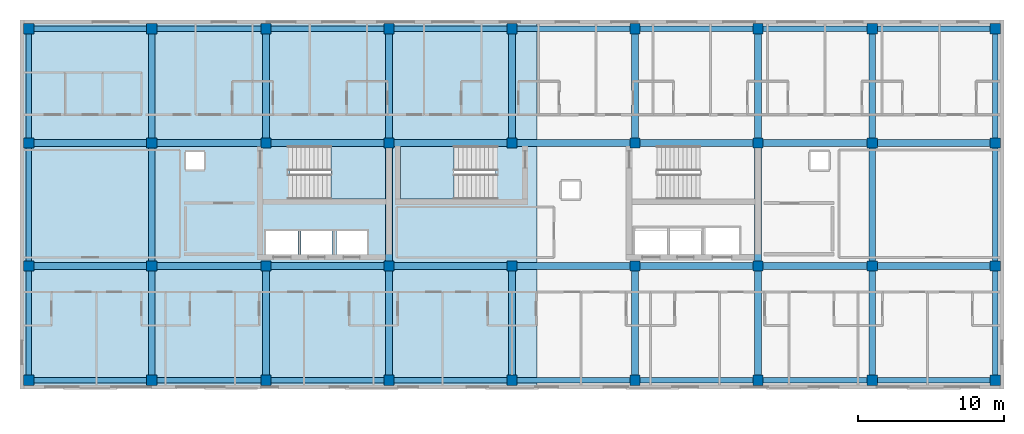
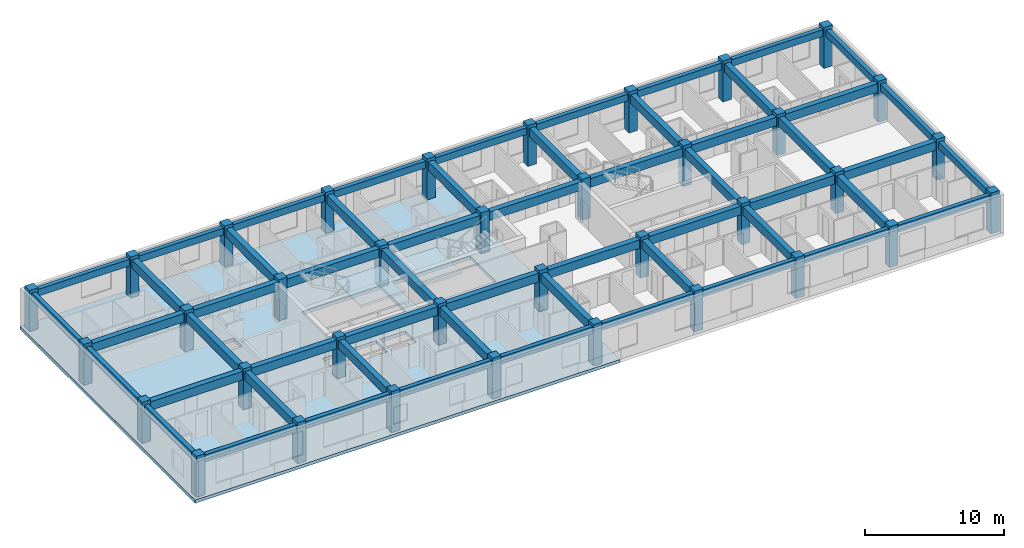
# One storey, part 1 of 11: 56 beams, 36 columns, 3 slabs, 2 elements without a shape of their own.
"""IFC4 building model written with IfcOpenShell, lengths in metres."""

from ifc_helpers import new_model, si_unit, direction, frame, origin, origin_2d, place, context, subcontext, project, spatial, polyline, rectangle, outline, extrude, material, layer, layer_set, material_profile, profile_set, type_object, element, aggregate, save


model = new_model("IFC4")

# Units and contexts
model_context = context("Model", 3, precision=1e-05, world=origin(), true_north=direction((0.0, 1.0)))
body_context = subcontext(model_context, "Body", "Model", "MODEL_VIEW")
ifc_project = project(units=[si_unit("LENGTHUNIT", "METRE"), si_unit("AREAUNIT", "SQUARE_METRE"), si_unit("VOLUMEUNIT", "CUBIC_METRE"), si_unit("PLANEANGLEUNIT", "RADIAN"), si_unit("MASSUNIT", "GRAM", prefix="KILO")], contexts=[model_context])

# Site, building, storey
site_placement = place(None, origin())
site = spatial("IfcSite", under=ifc_project, at=site_placement, CompositionType="ELEMENT")
building_placement = place(site_placement, origin())
building = spatial("IfcBuilding", under=site, at=building_placement, Name="Zayran Congress Hotel", CompositionType="ELEMENT")
storey_placement = place(building_placement, frame((0.0, 0.0, 26.39990234375)))
storey = spatial("IfcBuildingStorey", under=building, at=storey_placement, Name="L06", CompositionType="ELEMENT", Elevation=26.39990234375)

# Columns
ifc_material_1 = material(Name="Concrete C40/50", Category="concrete")
ifc_material_profile_1 = material_profile(ifc_material_1, rectangle(XDim=0.699951171875, YDim=0.699951171875, at=origin_2d()), Name="RC 700x700")
ifc_profile_set_1 = profile_set([ifc_material_profile_1], Name="Concrete C40/50")
column_type = type_object("IfcColumnType", Name="TP-CL-03", PredefinedType="COLUMN", material=ifc_profile_set_1)
for number, where, z_axis, x_axis, name in (
    (1, (9.0, 9.39990234375, 0.0), (0.0, 0.0, 1.0), (1.0, 0.0, 0.0), "COL-V5-L06-1188"),
    (2, (9.0, 17.199951171875, 0.0), (0.0, 0.0, 1.0), (1.0, 0.0, 0.0), "COL-V5-L06-1189"),
    (3, (9.0, 25.60009765625, 0.0), (0.0, 0.0, 1.0), (1.0, 0.0, 0.0), "COL-V5-L06-1190"),
    (4, (9.0, 33.39990234375, 0.0), (0.0, 0.0, 1.0), (1.0, 0.0, 0.0), "COL-V5-L06-1191"),
    (5, (17.39990234375, 9.39990234375, 0.0), (0.0, 0.0, 1.0), (1.0, 0.0, 0.0), "COL-V5-L06-1192"),
    (6, (17.39990234375, 17.199951171875, 0.0), (0.0, 0.0, 1.0), (1.0, 0.0, 0.0), "COL-V5-L06-1193"),
    (7, (17.39990234375, 25.60009765625, 0.0), (0.0, 0.0, 1.0), (1.0, 0.0, 0.0), "COL-V5-L06-1194"),
    (8, (17.39990234375, 33.39990234375, 0.0), (0.0, 0.0, 1.0), (1.0, 0.0, 0.0), "COL-V5-L06-1195"),
    (9, (25.199951171875, 9.39990234375, 0.0), (0.0, 0.0, 1.0), (1.0, 0.0, 0.0), "COL-V5-L06-1196"),
    (10, (25.199951171875, 17.199951171875, 0.0), (0.0, 0.0, 1.0), (1.0, 0.0, 0.0), "COL-V5-L06-1197"),
    (11, (25.199951171875, 25.60009765625, 0.0), (0.0, 0.0, 1.0), (1.0, 0.0, 0.0), "COL-V5-L06-1198"),
    (12, (25.199951171875, 33.39990234375, 0.0), (0.0, 0.0, 1.0), (1.0, 0.0, 0.0), "COL-V5-L06-1199"),
    (13, (33.60009765625, 9.39990234375, 0.0), (0.0, 0.0, 1.0), (1.0, 0.0, 0.0), "COL-V5-L06-1200"),
    (14, (33.60009765625, 17.199951171875, 0.0), (0.0, 0.0, 1.0), (1.0, 0.0, 0.0), "COL-V5-L06-1201"),
    (15, (33.60009765625, 25.60009765625, 0.0), (0.0, 0.0, 1.0), (1.0, 0.0, 0.0), "COL-V5-L06-1202"),
    (16, (33.60009765625, 33.39990234375, 0.0), (0.0, 0.0, 1.0), (1.0, 0.0, 0.0), "COL-V5-L06-1203"),
    (17, (42.0, 9.39990234375, 0.0), (0.0, 0.0, 1.0), (1.0, 0.0, 0.0), "COL-V5-L06-1204"),
    (18, (42.0, 17.199951171875, 0.0), (0.0, 0.0, 1.0), (1.0, 0.0, 0.0), "COL-V5-L06-1205"),
    (19, (42.0, 25.60009765625, 0.0), (0.0, 0.0, 1.0), (1.0, 0.0, 0.0), "COL-V5-L06-1206"),
    (20, (42.0, 33.39990234375, 0.0), (0.0, 0.0, 1.0), (1.0, 0.0, 0.0), "COL-V5-L06-1207"),
    (21, (50.39990234375, 9.39990234375, 0.0), (0.0, 0.0, 1.0), (1.0, 0.0, 0.0), "COL-V5-L06-1208"),
    (22, (50.39990234375, 17.199951171875, 0.0), (0.0, 0.0, 1.0), (1.0, 0.0, 0.0), "COL-V5-L06-1209"),
    (23, (50.39990234375, 25.60009765625, 0.0), (0.0, 0.0, 1.0), (1.0, 0.0, 0.0), "COL-V5-L06-1210"),
    (24, (50.39990234375, 33.39990234375, 0.0), (0.0, 0.0, 1.0), (1.0, 0.0, 0.0), "COL-V5-L06-1211"),
    (25, (58.800048828125, 9.39990234375, 0.0), (0.0, 0.0, 1.0), (1.0, 0.0, 0.0), "COL-V5-L06-1212"),
    (26, (58.800048828125, 17.199951171875, 0.0), (0.0, 0.0, 1.0), (1.0, 0.0, 0.0), "COL-V5-L06-1213"),
    (27, (58.800048828125, 25.60009765625, 0.0), (0.0, 0.0, 1.0), (1.0, 0.0, 0.0), "COL-V5-L06-1214"),
    (28, (58.800048828125, 33.39990234375, 0.0), (0.0, 0.0, 1.0), (1.0, 0.0, 0.0), "COL-V5-L06-1215"),
    (29, (66.60009765625, 9.39990234375, 0.0), (0.0, 0.0, 1.0), (1.0, 0.0, 0.0), "COL-V5-L06-1216"),
    (30, (66.60009765625, 17.199951171875, 0.0), (0.0, 0.0, 1.0), (1.0, 0.0, 0.0), "COL-V5-L06-1217"),
    (31, (66.60009765625, 25.60009765625, 0.0), (0.0, 0.0, 1.0), (1.0, 0.0, 0.0), "COL-V5-L06-1218"),
    (32, (66.60009765625, 33.39990234375, 0.0), (0.0, 0.0, 1.0), (1.0, 0.0, 0.0), "COL-V5-L06-1219"),
    (33, (75.0, 9.39990234375, 0.0), (0.0, 0.0, 1.0), (1.0, 0.0, 0.0), "COL-V5-L06-1220"),
    (34, (75.0, 17.199951171875, 0.0), (0.0, 0.0, 1.0), (1.0, 0.0, 0.0), "COL-V5-L06-1221"),
    (35, (75.0, 25.60009765625, 0.0), (0.0, 0.0, 1.0), (1.0, 0.0, 0.0), "COL-V5-L06-1222"),
    (36, (75.0, 33.39990234375, 0.0), (0.0, 0.0, 1.0), (1.0, 0.0, 0.0), "COL-V5-L06-1223"),
):
    element("IfcColumn", number, at=place(storey_placement, frame(where, z_axis=z_axis, x_axis=x_axis)), inside=storey, type_object=column_type, Name=name, PredefinedType="COLUMN", context=body_context, shape_type="SweptSolid", body=[
        extrude(rectangle(XDim=0.699951171875, YDim=0.699951171875, at=origin_2d()), origin(), (0.0, 0.0, 1.0), 3.60009765625),
    ])

# Beams
ifc_material_profile_2 = material_profile(ifc_material_1, rectangle(XDim=0.449951171875, YDim=0.75, at=origin_2d()), Name="RC 450x750")
ifc_profile_set_2 = profile_set([ifc_material_profile_2], Name="Concrete C40/50")
beam_type_1 = type_object("IfcBeamType", Name="TP-BM-02", PredefinedType="BEAM", material=ifc_profile_set_2)
beam_1_placement = place(storey_placement, frame((9.0, 17.199951171875, 2.945068359375), z_axis=(1.0, 0.0, 0.0), x_axis=(0.0, 1.0, 0.0)))
element("IfcBeam", 37, at=beam_1_placement, inside=storey, type_object=beam_type_1, Name="BM-V5-L06-2109", PredefinedType="BEAM", context=body_context, shape_type="SweptSolid", body=[
    extrude(rectangle(XDim=0.449951171875, YDim=0.75, at=origin_2d()), origin(), (0.0, 0.0, 1.0), 8.39990234375),
])
beam_2_placement = place(storey_placement, frame((17.39990234375, 17.199951171875, 2.945068359375), z_axis=(1.0, 0.0, 0.0), x_axis=(0.0, 1.0, 0.0)))
element("IfcBeam", 38, at=beam_2_placement, inside=storey, type_object=beam_type_1, Name="BM-V5-L06-2110", PredefinedType="BEAM", context=body_context, shape_type="SweptSolid", body=[
    extrude(rectangle(XDim=0.449951171875, YDim=0.75, at=origin_2d()), origin(), (0.0, 0.0, 1.0), 7.800048828125),
])
beam_3_placement = place(storey_placement, frame((25.199951171875, 17.199951171875, 2.945068359375), z_axis=(1.0, 0.0, 0.0), x_axis=(0.0, 1.0, 0.0)))
element("IfcBeam", 39, at=beam_3_placement, inside=storey, type_object=beam_type_1, Name="BM-V5-L06-2111", PredefinedType="BEAM", context=body_context, shape_type="SweptSolid", body=[
    extrude(rectangle(XDim=0.449951171875, YDim=0.75, at=origin_2d()), origin(), (0.0, 0.0, 1.0), 8.400146484375),
])
for number, where, z_axis, x_axis, name in (
    (40, (33.60009765625, 17.199951171875, 2.945068359375), (1.0, 0.0, 0.0), (0.0, 1.0, 0.0), "BM-V5-L06-2112"),
    (41, (42.0, 17.199951171875, 2.945068359375), (1.0, 0.0, 0.0), (0.0, 1.0, 0.0), "BM-V5-L06-2113"),
):
    element("IfcBeam", number, at=place(storey_placement, frame(where, z_axis=z_axis, x_axis=x_axis)), inside=storey, type_object=beam_type_1, Name=name, PredefinedType="BEAM", context=body_context, shape_type="SweptSolid", body=[
        extrude(rectangle(XDim=0.449951171875, YDim=0.75, at=origin_2d()), origin(), (0.0, 0.0, 1.0), 8.39990234375),
    ])
beam_4_placement = place(storey_placement, frame((50.39990234375, 17.199951171875, 2.945068359375), z_axis=(1.0, 0.0, 0.0), x_axis=(0.0, 1.0, 0.0)))
element("IfcBeam", 42, at=beam_4_placement, inside=storey, type_object=beam_type_1, Name="BM-V5-L06-2114", PredefinedType="BEAM", context=body_context, shape_type="SweptSolid", body=[
    extrude(rectangle(XDim=0.449951171875, YDim=0.75, at=origin_2d()), origin(), (0.0, 0.0, 1.0), 8.400146484375),
])
beam_5_placement = place(storey_placement, frame((58.800048828125, 17.199951171875, 2.945068359375), z_axis=(1.0, 0.0, 0.0), x_axis=(0.0, 1.0, 0.0)))
element("IfcBeam", 43, at=beam_5_placement, inside=storey, type_object=beam_type_1, Name="BM-V5-L06-2115", PredefinedType="BEAM", context=body_context, shape_type="SweptSolid", body=[
    extrude(rectangle(XDim=0.449951171875, YDim=0.75, at=origin_2d()), origin(), (0.0, 0.0, 1.0), 7.800048828125),
])
for number, where, z_axis, x_axis, name in (
    (44, (66.60009765625, 17.199951171875, 2.945068359375), (1.0, 0.0, 0.0), (0.0, 1.0, 0.0), "BM-V5-L06-2116"),
    (45, (9.0, 25.60009765625, 2.945068359375), (1.0, 0.0, 0.0), (0.0, 1.0, 0.0), "BM-V5-L06-2117"),
):
    element("IfcBeam", number, at=place(storey_placement, frame(where, z_axis=z_axis, x_axis=x_axis)), inside=storey, type_object=beam_type_1, Name=name, PredefinedType="BEAM", context=body_context, shape_type="SweptSolid", body=[
        extrude(rectangle(XDim=0.449951171875, YDim=0.75, at=origin_2d()), origin(), (0.0, 0.0, 1.0), 8.39990234375),
    ])
beam_6_placement = place(storey_placement, frame((17.39990234375, 25.60009765625, 2.945068359375), z_axis=(1.0, 0.0, 0.0), x_axis=(0.0, 1.0, 0.0)))
element("IfcBeam", 46, at=beam_6_placement, inside=storey, type_object=beam_type_1, Name="BM-V5-L06-2118", PredefinedType="BEAM", context=body_context, shape_type="SweptSolid", body=[
    extrude(rectangle(XDim=0.449951171875, YDim=0.75, at=origin_2d()), origin(), (0.0, 0.0, 1.0), 7.800048828125),
])
beam_7_placement = place(storey_placement, frame((25.199951171875, 25.60009765625, 2.945068359375), z_axis=(1.0, 0.0, 0.0), x_axis=(0.0, 1.0, 0.0)))
element("IfcBeam", 47, at=beam_7_placement, inside=storey, type_object=beam_type_1, Name="BM-V5-L06-2119", PredefinedType="BEAM", context=body_context, shape_type="SweptSolid", body=[
    extrude(rectangle(XDim=0.449951171875, YDim=0.75, at=origin_2d()), origin(), (0.0, 0.0, 1.0), 8.400146484375),
])
for number, where, z_axis, x_axis, name in (
    (48, (33.60009765625, 25.60009765625, 2.945068359375), (1.0, 0.0, 0.0), (0.0, 1.0, 0.0), "BM-V5-L06-2120"),
    (49, (42.0, 25.60009765625, 2.945068359375), (1.0, 0.0, 0.0), (0.0, 1.0, 0.0), "BM-V5-L06-2121"),
):
    element("IfcBeam", number, at=place(storey_placement, frame(where, z_axis=z_axis, x_axis=x_axis)), inside=storey, type_object=beam_type_1, Name=name, PredefinedType="BEAM", context=body_context, shape_type="SweptSolid", body=[
        extrude(rectangle(XDim=0.449951171875, YDim=0.75, at=origin_2d()), origin(), (0.0, 0.0, 1.0), 8.39990234375),
    ])
beam_8_placement = place(storey_placement, frame((50.39990234375, 25.60009765625, 2.945068359375), z_axis=(1.0, 0.0, 0.0), x_axis=(0.0, 1.0, 0.0)))
element("IfcBeam", 50, at=beam_8_placement, inside=storey, type_object=beam_type_1, Name="BM-V5-L06-2122", PredefinedType="BEAM", context=body_context, shape_type="SweptSolid", body=[
    extrude(rectangle(XDim=0.449951171875, YDim=0.75, at=origin_2d()), origin(), (0.0, 0.0, 1.0), 8.400146484375),
])
beam_9_placement = place(storey_placement, frame((58.800048828125, 25.60009765625, 2.945068359375), z_axis=(1.0, 0.0, 0.0), x_axis=(0.0, 1.0, 0.0)))
element("IfcBeam", 51, at=beam_9_placement, inside=storey, type_object=beam_type_1, Name="BM-V5-L06-2123", PredefinedType="BEAM", context=body_context, shape_type="SweptSolid", body=[
    extrude(rectangle(XDim=0.449951171875, YDim=0.75, at=origin_2d()), origin(), (0.0, 0.0, 1.0), 7.800048828125),
])
beam_10_placement = place(storey_placement, frame((66.60009765625, 25.60009765625, 2.945068359375), z_axis=(1.0, 0.0, 0.0), x_axis=(0.0, 1.0, 0.0)))
element("IfcBeam", 52, at=beam_10_placement, inside=storey, type_object=beam_type_1, Name="BM-V5-L06-2124", PredefinedType="BEAM", context=body_context, shape_type="SweptSolid", body=[
    extrude(rectangle(XDim=0.449951171875, YDim=0.75, at=origin_2d()), origin(), (0.0, 0.0, 1.0), 8.39990234375),
])
beam_11_placement = place(storey_placement, frame((17.39990234375, 9.39990234375, 2.945068359375), z_axis=(0.0, 1.0, 0.0), x_axis=(-1.0, 0.0, 0.0)))
element("IfcBeam", 53, at=beam_11_placement, inside=storey, type_object=beam_type_1, Name="BM-V5-L06-2136", PredefinedType="BEAM", context=body_context, shape_type="SweptSolid", body=[
    extrude(rectangle(XDim=0.449951171875, YDim=0.75, at=origin_2d()), origin(), (0.0, 0.0, 1.0), 7.800048828125),
])
beam_12_placement = place(storey_placement, frame((17.39990234375, 17.199951171875, 2.945068359375), z_axis=(0.0, 1.0, 0.0), x_axis=(-1.0, 0.0, 0.0)))
element("IfcBeam", 54, at=beam_12_placement, inside=storey, type_object=beam_type_1, Name="BM-V5-L06-2137", PredefinedType="BEAM", context=body_context, shape_type="SweptSolid", body=[
    extrude(rectangle(XDim=0.449951171875, YDim=0.75, at=origin_2d()), origin(), (0.0, 0.0, 1.0), 8.400146484375),
])
beam_13_placement = place(storey_placement, frame((17.39990234375, 25.60009765625, 2.945068359375), z_axis=(0.0, 1.0, 0.0), x_axis=(-1.0, 0.0, 0.0)))
element("IfcBeam", 55, at=beam_13_placement, inside=storey, type_object=beam_type_1, Name="BM-V5-L06-2138", PredefinedType="BEAM", context=body_context, shape_type="SweptSolid", body=[
    extrude(rectangle(XDim=0.449951171875, YDim=0.75, at=origin_2d()), origin(), (0.0, 0.0, 1.0), 7.7998046875),
])
beam_14_placement = place(storey_placement, frame((25.199951171875, 9.39990234375, 2.945068359375), z_axis=(0.0, 1.0, 0.0), x_axis=(-1.0, 0.0, 0.0)))
element("IfcBeam", 56, at=beam_14_placement, inside=storey, type_object=beam_type_1, Name="BM-V5-L06-2139", PredefinedType="BEAM", context=body_context, shape_type="SweptSolid", body=[
    extrude(rectangle(XDim=0.449951171875, YDim=0.75, at=origin_2d()), origin(), (0.0, 0.0, 1.0), 7.800048828125),
])
beam_15_placement = place(storey_placement, frame((25.199951171875, 25.60009765625, 2.945068359375), z_axis=(0.0, 1.0, 0.0), x_axis=(-1.0, 0.0, 0.0)))
element("IfcBeam", 57, at=beam_15_placement, inside=storey, type_object=beam_type_1, Name="BM-V5-L06-2140", PredefinedType="BEAM", context=body_context, shape_type="SweptSolid", body=[
    extrude(rectangle(XDim=0.449951171875, YDim=0.75, at=origin_2d()), origin(), (0.0, 0.0, 1.0), 7.7998046875),
])
beam_16_placement = place(storey_placement, frame((33.60009765625, 9.39990234375, 2.945068359375), z_axis=(0.0, 1.0, 0.0), x_axis=(-1.0, 0.0, 0.0)))
element("IfcBeam", 58, at=beam_16_placement, inside=storey, type_object=beam_type_1, Name="BM-V5-L06-2141", PredefinedType="BEAM", context=body_context, shape_type="SweptSolid", body=[
    extrude(rectangle(XDim=0.449951171875, YDim=0.75, at=origin_2d()), origin(), (0.0, 0.0, 1.0), 7.800048828125),
])
beam_17_placement = place(storey_placement, frame((33.60009765625, 17.199951171875, 2.945068359375), z_axis=(0.0, 1.0, 0.0), x_axis=(-1.0, 0.0, 0.0)))
element("IfcBeam", 59, at=beam_17_placement, inside=storey, type_object=beam_type_1, Name="BM-V5-L06-2142", PredefinedType="BEAM", context=body_context, shape_type="SweptSolid", body=[
    extrude(rectangle(XDim=0.449951171875, YDim=0.75, at=origin_2d()), origin(), (0.0, 0.0, 1.0), 8.400146484375),
])
beam_18_placement = place(storey_placement, frame((33.60009765625, 25.60009765625, 2.945068359375), z_axis=(0.0, 1.0, 0.0), x_axis=(-1.0, 0.0, 0.0)))
element("IfcBeam", 60, at=beam_18_placement, inside=storey, type_object=beam_type_1, Name="BM-V5-L06-2143", PredefinedType="BEAM", context=body_context, shape_type="SweptSolid", body=[
    extrude(rectangle(XDim=0.449951171875, YDim=0.75, at=origin_2d()), origin(), (0.0, 0.0, 1.0), 7.7998046875),
])
beam_19_placement = place(storey_placement, frame((42.0, 9.39990234375, 2.945068359375), z_axis=(0.0, 1.0, 0.0), x_axis=(-1.0, 0.0, 0.0)))
element("IfcBeam", 61, at=beam_19_placement, inside=storey, type_object=beam_type_1, Name="BM-V5-L06-2144", PredefinedType="BEAM", context=body_context, shape_type="SweptSolid", body=[
    extrude(rectangle(XDim=0.449951171875, YDim=0.75, at=origin_2d()), origin(), (0.0, 0.0, 1.0), 7.800048828125),
])
beam_20_placement = place(storey_placement, frame((42.0, 25.60009765625, 2.945068359375), z_axis=(0.0, 1.0, 0.0), x_axis=(-1.0, 0.0, 0.0)))
element("IfcBeam", 62, at=beam_20_placement, inside=storey, type_object=beam_type_1, Name="BM-V5-L06-2146", PredefinedType="BEAM", context=body_context, shape_type="SweptSolid", body=[
    extrude(rectangle(XDim=0.449951171875, YDim=0.75, at=origin_2d()), origin(), (0.0, 0.0, 1.0), 7.7998046875),
])
beam_21_placement = place(storey_placement, frame((50.39990234375, 9.39990234375, 2.945068359375), z_axis=(0.0, 1.0, 0.0), x_axis=(-1.0, 0.0, 0.0)))
element("IfcBeam", 63, at=beam_21_placement, inside=storey, type_object=beam_type_1, Name="BM-V5-L06-2147", PredefinedType="BEAM", context=body_context, shape_type="SweptSolid", body=[
    extrude(rectangle(XDim=0.449951171875, YDim=0.75, at=origin_2d()), origin(), (0.0, 0.0, 1.0), 7.800048828125),
])
beam_22_placement = place(storey_placement, frame((50.39990234375, 25.60009765625, 2.945068359375), z_axis=(0.0, 1.0, 0.0), x_axis=(-1.0, 0.0, 0.0)))
element("IfcBeam", 64, at=beam_22_placement, inside=storey, type_object=beam_type_1, Name="BM-V5-L06-2148", PredefinedType="BEAM", context=body_context, shape_type="SweptSolid", body=[
    extrude(rectangle(XDim=0.449951171875, YDim=0.75, at=origin_2d()), origin(), (0.0, 0.0, 1.0), 7.7998046875),
])
beam_23_placement = place(storey_placement, frame((58.800048828125, 9.39990234375, 2.945068359375), z_axis=(0.0, 1.0, 0.0), x_axis=(-1.0, 0.0, 0.0)))
element("IfcBeam", 65, at=beam_23_placement, inside=storey, type_object=beam_type_1, Name="BM-V5-L06-2149", PredefinedType="BEAM", context=body_context, shape_type="SweptSolid", body=[
    extrude(rectangle(XDim=0.449951171875, YDim=0.75, at=origin_2d()), origin(), (0.0, 0.0, 1.0), 7.800048828125),
])
beam_24_placement = place(storey_placement, frame((58.800048828125, 17.199951171875, 2.945068359375), z_axis=(0.0, 1.0, 0.0), x_axis=(-1.0, 0.0, 0.0)))
element("IfcBeam", 66, at=beam_24_placement, inside=storey, type_object=beam_type_1, Name="BM-V5-L06-2150", PredefinedType="BEAM", context=body_context, shape_type="SweptSolid", body=[
    extrude(rectangle(XDim=0.449951171875, YDim=0.75, at=origin_2d()), origin(), (0.0, 0.0, 1.0), 8.400146484375),
])
beam_25_placement = place(storey_placement, frame((58.800048828125, 25.60009765625, 2.945068359375), z_axis=(0.0, 1.0, 0.0), x_axis=(-1.0, 0.0, 0.0)))
element("IfcBeam", 67, at=beam_25_placement, inside=storey, type_object=beam_type_1, Name="BM-V5-L06-2151", PredefinedType="BEAM", context=body_context, shape_type="SweptSolid", body=[
    extrude(rectangle(XDim=0.449951171875, YDim=0.75, at=origin_2d()), origin(), (0.0, 0.0, 1.0), 7.7998046875),
])
beam_26_placement = place(storey_placement, frame((66.60009765625, 9.39990234375, 2.945068359375), z_axis=(0.0, 1.0, 0.0), x_axis=(-1.0, 0.0, 0.0)))
element("IfcBeam", 68, at=beam_26_placement, inside=storey, type_object=beam_type_1, Name="BM-V5-L06-2152", PredefinedType="BEAM", context=body_context, shape_type="SweptSolid", body=[
    extrude(rectangle(XDim=0.449951171875, YDim=0.75, at=origin_2d()), origin(), (0.0, 0.0, 1.0), 7.800048828125),
])
beam_27_placement = place(storey_placement, frame((66.60009765625, 17.199951171875, 2.945068359375), z_axis=(0.0, 1.0, 0.0), x_axis=(-1.0, 0.0, 0.0)))
element("IfcBeam", 69, at=beam_27_placement, inside=storey, type_object=beam_type_1, Name="BM-V5-L06-2153", PredefinedType="BEAM", context=body_context, shape_type="SweptSolid", body=[
    extrude(rectangle(XDim=0.449951171875, YDim=0.75, at=origin_2d()), origin(), (0.0, 0.0, 1.0), 8.400146484375),
])
beam_28_placement = place(storey_placement, frame((66.60009765625, 25.60009765625, 2.945068359375), z_axis=(0.0, 1.0, 0.0), x_axis=(-1.0, 0.0, 0.0)))
element("IfcBeam", 70, at=beam_28_placement, inside=storey, type_object=beam_type_1, Name="BM-V5-L06-2154", PredefinedType="BEAM", context=body_context, shape_type="SweptSolid", body=[
    extrude(rectangle(XDim=0.449951171875, YDim=0.75, at=origin_2d()), origin(), (0.0, 0.0, 1.0), 7.7998046875),
])
ifc_material_profile_3 = material_profile(ifc_material_1, rectangle(XDim=0.35009765625, YDim=0.60009765625, at=origin_2d()), Name="RC 350x600")
ifc_profile_set_3 = profile_set([ifc_material_profile_3], Name="Concrete C40/50")
beam_type_2 = type_object("IfcBeamType", Name="TP-SP-01", PredefinedType="SPANDREL", material=ifc_profile_set_3)
beam_29_placement = place(storey_placement, frame((9.0, 9.39990234375, 3.02001953125), z_axis=(1.0, 0.0, 0.0), x_axis=(0.0, 1.0, 0.0)))
element("IfcBeam", 71, at=beam_29_placement, inside=storey, type_object=beam_type_2, Name="BM-V5-L06-2101", PredefinedType="SPANDREL", context=body_context, shape_type="SweptSolid", body=[
    extrude(rectangle(XDim=0.35009765625, YDim=0.60009765625, at=origin_2d()), origin(), (0.0, 0.0, 1.0), 8.39990234375),
])
beam_30_placement = place(storey_placement, frame((17.39990234375, 9.39990234375, 3.02001953125), z_axis=(1.0, 0.0, 0.0), x_axis=(0.0, 1.0, 0.0)))
element("IfcBeam", 72, at=beam_30_placement, inside=storey, type_object=beam_type_2, Name="BM-V5-L06-2102", PredefinedType="SPANDREL", context=body_context, shape_type="SweptSolid", body=[
    extrude(rectangle(XDim=0.35009765625, YDim=0.60009765625, at=origin_2d()), origin(), (0.0, 0.0, 1.0), 7.800048828125),
])
beam_31_placement = place(storey_placement, frame((25.199951171875, 9.39990234375, 3.02001953125), z_axis=(1.0, 0.0, 0.0), x_axis=(0.0, 1.0, 0.0)))
element("IfcBeam", 73, at=beam_31_placement, inside=storey, type_object=beam_type_2, Name="BM-V5-L06-2103", PredefinedType="SPANDREL", context=body_context, shape_type="SweptSolid", body=[
    extrude(rectangle(XDim=0.35009765625, YDim=0.60009765625, at=origin_2d()), origin(), (0.0, 0.0, 1.0), 8.400146484375),
])
for number, where, z_axis, x_axis, name in (
    (74, (33.60009765625, 9.39990234375, 3.02001953125), (1.0, 0.0, 0.0), (0.0, 1.0, 0.0), "BM-V5-L06-2104"),
    (75, (42.0, 9.39990234375, 3.02001953125), (1.0, 0.0, 0.0), (0.0, 1.0, 0.0), "BM-V5-L06-2105"),
):
    element("IfcBeam", number, at=place(storey_placement, frame(where, z_axis=z_axis, x_axis=x_axis)), inside=storey, type_object=beam_type_2, Name=name, PredefinedType="SPANDREL", context=body_context, shape_type="SweptSolid", body=[
        extrude(rectangle(XDim=0.35009765625, YDim=0.60009765625, at=origin_2d()), origin(), (0.0, 0.0, 1.0), 8.39990234375),
    ])
beam_32_placement = place(storey_placement, frame((50.39990234375, 9.39990234375, 3.02001953125), z_axis=(1.0, 0.0, 0.0), x_axis=(0.0, 1.0, 0.0)))
element("IfcBeam", 76, at=beam_32_placement, inside=storey, type_object=beam_type_2, Name="BM-V5-L06-2106", PredefinedType="SPANDREL", context=body_context, shape_type="SweptSolid", body=[
    extrude(rectangle(XDim=0.35009765625, YDim=0.60009765625, at=origin_2d()), origin(), (0.0, 0.0, 1.0), 8.400146484375),
])
beam_33_placement = place(storey_placement, frame((58.800048828125, 9.39990234375, 3.02001953125), z_axis=(1.0, 0.0, 0.0), x_axis=(0.0, 1.0, 0.0)))
element("IfcBeam", 77, at=beam_33_placement, inside=storey, type_object=beam_type_2, Name="BM-V5-L06-2107", PredefinedType="SPANDREL", context=body_context, shape_type="SweptSolid", body=[
    extrude(rectangle(XDim=0.35009765625, YDim=0.60009765625, at=origin_2d()), origin(), (0.0, 0.0, 1.0), 7.800048828125),
])
for number, where, z_axis, x_axis, name in (
    (78, (66.60009765625, 9.39990234375, 3.02001953125), (1.0, 0.0, 0.0), (0.0, 1.0, 0.0), "BM-V5-L06-2108"),
    (79, (9.0, 33.39990234375, 3.02001953125), (1.0, 0.0, 0.0), (0.0, 1.0, 0.0), "BM-V5-L06-2125"),
):
    element("IfcBeam", number, at=place(storey_placement, frame(where, z_axis=z_axis, x_axis=x_axis)), inside=storey, type_object=beam_type_2, Name=name, PredefinedType="SPANDREL", context=body_context, shape_type="SweptSolid", body=[
        extrude(rectangle(XDim=0.35009765625, YDim=0.60009765625, at=origin_2d()), origin(), (0.0, 0.0, 1.0), 8.39990234375),
    ])
beam_34_placement = place(storey_placement, frame((17.39990234375, 33.39990234375, 3.02001953125), z_axis=(1.0, 0.0, 0.0), x_axis=(0.0, 1.0, 0.0)))
element("IfcBeam", 80, at=beam_34_placement, inside=storey, type_object=beam_type_2, Name="BM-V5-L06-2126", PredefinedType="SPANDREL", context=body_context, shape_type="SweptSolid", body=[
    extrude(rectangle(XDim=0.35009765625, YDim=0.60009765625, at=origin_2d()), origin(), (0.0, 0.0, 1.0), 7.800048828125),
])
beam_35_placement = place(storey_placement, frame((25.199951171875, 33.39990234375, 3.02001953125), z_axis=(1.0, 0.0, 0.0), x_axis=(0.0, 1.0, 0.0)))
element("IfcBeam", 81, at=beam_35_placement, inside=storey, type_object=beam_type_2, Name="BM-V5-L06-2127", PredefinedType="SPANDREL", context=body_context, shape_type="SweptSolid", body=[
    extrude(rectangle(XDim=0.35009765625, YDim=0.60009765625, at=origin_2d()), origin(), (0.0, 0.0, 1.0), 8.400146484375),
])
for number, where, z_axis, x_axis, name in (
    (82, (33.60009765625, 33.39990234375, 3.02001953125), (1.0, 0.0, 0.0), (0.0, 1.0, 0.0), "BM-V5-L06-2128"),
    (83, (42.0, 33.39990234375, 3.02001953125), (1.0, 0.0, 0.0), (0.0, 1.0, 0.0), "BM-V5-L06-2129"),
):
    element("IfcBeam", number, at=place(storey_placement, frame(where, z_axis=z_axis, x_axis=x_axis)), inside=storey, type_object=beam_type_2, Name=name, PredefinedType="SPANDREL", context=body_context, shape_type="SweptSolid", body=[
        extrude(rectangle(XDim=0.35009765625, YDim=0.60009765625, at=origin_2d()), origin(), (0.0, 0.0, 1.0), 8.39990234375),
    ])
beam_36_placement = place(storey_placement, frame((50.39990234375, 33.39990234375, 3.02001953125), z_axis=(1.0, 0.0, 0.0), x_axis=(0.0, 1.0, 0.0)))
element("IfcBeam", 84, at=beam_36_placement, inside=storey, type_object=beam_type_2, Name="BM-V5-L06-2130", PredefinedType="SPANDREL", context=body_context, shape_type="SweptSolid", body=[
    extrude(rectangle(XDim=0.35009765625, YDim=0.60009765625, at=origin_2d()), origin(), (0.0, 0.0, 1.0), 8.400146484375),
])
beam_37_placement = place(storey_placement, frame((58.800048828125, 33.39990234375, 3.02001953125), z_axis=(1.0, 0.0, 0.0), x_axis=(0.0, 1.0, 0.0)))
element("IfcBeam", 85, at=beam_37_placement, inside=storey, type_object=beam_type_2, Name="BM-V5-L06-2131", PredefinedType="SPANDREL", context=body_context, shape_type="SweptSolid", body=[
    extrude(rectangle(XDim=0.35009765625, YDim=0.60009765625, at=origin_2d()), origin(), (0.0, 0.0, 1.0), 7.800048828125),
])
beam_38_placement = place(storey_placement, frame((66.60009765625, 33.39990234375, 3.02001953125), z_axis=(1.0, 0.0, 0.0), x_axis=(0.0, 1.0, 0.0)))
element("IfcBeam", 86, at=beam_38_placement, inside=storey, type_object=beam_type_2, Name="BM-V5-L06-2132", PredefinedType="SPANDREL", context=body_context, shape_type="SweptSolid", body=[
    extrude(rectangle(XDim=0.35009765625, YDim=0.60009765625, at=origin_2d()), origin(), (0.0, 0.0, 1.0), 8.39990234375),
])
beam_39_placement = place(storey_placement, frame((9.0, 9.39990234375, 3.02001953125), z_axis=(0.0, 1.0, 0.0), x_axis=(-1.0, 0.0, 0.0)))
element("IfcBeam", 87, at=beam_39_placement, inside=storey, type_object=beam_type_2, Name="BM-V5-L06-2133", PredefinedType="SPANDREL", context=body_context, shape_type="SweptSolid", body=[
    extrude(rectangle(XDim=0.35009765625, YDim=0.60009765625, at=origin_2d()), origin(), (0.0, 0.0, 1.0), 7.800048828125),
])
beam_40_placement = place(storey_placement, frame((9.0, 17.199951171875, 3.02001953125), z_axis=(0.0, 1.0, 0.0), x_axis=(-1.0, 0.0, 0.0)))
element("IfcBeam", 88, at=beam_40_placement, inside=storey, type_object=beam_type_2, Name="BM-V5-L06-2134", PredefinedType="SPANDREL", context=body_context, shape_type="SweptSolid", body=[
    extrude(rectangle(XDim=0.35009765625, YDim=0.60009765625, at=origin_2d()), origin(), (0.0, 0.0, 1.0), 8.400146484375),
])
beam_41_placement = place(storey_placement, frame((9.0, 25.60009765625, 3.02001953125), z_axis=(0.0, 1.0, 0.0), x_axis=(-1.0, 0.0, 0.0)))
element("IfcBeam", 89, at=beam_41_placement, inside=storey, type_object=beam_type_2, Name="BM-V5-L06-2135", PredefinedType="SPANDREL", context=body_context, shape_type="SweptSolid", body=[
    extrude(rectangle(XDim=0.35009765625, YDim=0.60009765625, at=origin_2d()), origin(), (0.0, 0.0, 1.0), 7.7998046875),
])
beam_42_placement = place(storey_placement, frame((75.0, 9.39990234375, 3.02001953125), z_axis=(0.0, 1.0, 0.0), x_axis=(-1.0, 0.0, 0.0)))
element("IfcBeam", 90, at=beam_42_placement, inside=storey, type_object=beam_type_2, Name="BM-V5-L06-2155", PredefinedType="SPANDREL", context=body_context, shape_type="SweptSolid", body=[
    extrude(rectangle(XDim=0.35009765625, YDim=0.60009765625, at=origin_2d()), origin(), (0.0, 0.0, 1.0), 7.800048828125),
])
beam_43_placement = place(storey_placement, frame((75.0, 17.199951171875, 3.02001953125), z_axis=(0.0, 1.0, 0.0), x_axis=(-1.0, 0.0, 0.0)))
element("IfcBeam", 91, at=beam_43_placement, inside=storey, type_object=beam_type_2, Name="BM-V5-L06-2156", PredefinedType="SPANDREL", context=body_context, shape_type="SweptSolid", body=[
    extrude(rectangle(XDim=0.35009765625, YDim=0.60009765625, at=origin_2d()), origin(), (0.0, 0.0, 1.0), 8.400146484375),
])
beam_44_placement = place(storey_placement, frame((75.0, 25.60009765625, 3.02001953125), z_axis=(0.0, 1.0, 0.0), x_axis=(-1.0, 0.0, 0.0)))
element("IfcBeam", 92, at=beam_44_placement, inside=storey, type_object=beam_type_2, Name="BM-V5-L06-2157", PredefinedType="SPANDREL", context=body_context, shape_type="SweptSolid", body=[
    extrude(rectangle(XDim=0.35009765625, YDim=0.60009765625, at=origin_2d()), origin(), (0.0, 0.0, 1.0), 7.7998046875),
])

# Slab
ifc_material_2 = material(Name="Concrete C32/40", Category="concrete")
ifc_layer_1 = layer(ifc_material_2, 0.280029296875)
ifc_layer_set_1 = layer_set([ifc_layer_1], Name="Concrete C32/40")
slab_type_1 = type_object("IfcSlabType", Name="SL-FL-280", PredefinedType="FLOOR", material=ifc_layer_set_1)
slab_1_placement = place(storey_placement, frame((0.0, 0.0, -0.27978515625)))
element("IfcSlab", 93, at=slab_1_placement, inside=storey, type_object=slab_type_1, Name="SLB-V5-L06-043", PredefinedType="FLOOR", context=body_context, shape_type="SweptSolid", body=[
    extrude(outline(polyline([(8.39990234375, 8.800048828125), (43.699951171875, 8.800048828125), (43.699951171875, 34.0), (8.39990234375, 34.0), (8.39990234375, 8.800048828125)]), holes=[polyline([(26.840087890625, 21.760009765625), (33.39990234375, 21.760009765625), (33.39990234375, 25.39990234375), (26.840087890625, 25.39990234375), (26.840087890625, 21.760009765625)]), polyline([(25.199951171875, 18.0), (27.39990234375, 18.0), (27.39990234375, 19.60009765625), (25.199951171875, 19.60009765625), (25.199951171875, 18.0)]), polyline([(27.60009765625, 18.0), (29.699951171875, 18.0), (29.699951171875, 19.60009765625), (27.60009765625, 19.60009765625), (27.60009765625, 18.0)]), polyline([(30.0, 18.0), (32.10009765625, 18.0), (32.10009765625, 19.60009765625), (30.0, 19.60009765625), (30.0, 18.0)]), polyline([(34.39990234375, 21.760009765625), (40.860107421875, 21.760009765625), (40.860107421875, 25.39990234375), (34.39990234375, 25.39990234375), (34.39990234375, 21.760009765625)]), polyline([(19.739990234375, 23.800048828125), (20.9599609375, 23.800048828125), (20.9599609375, 24.97998046875), (19.739990234375, 24.97998046875), (19.739990234375, 23.800048828125)])]), origin(), (0.0, 0.0, 1.0), 0.27978515625),
])

# Stair, slab
stair_type = type_object("IfcStairType", Name="TP-STR-1700-36", PredefinedType="USERDEFINED", material=ifc_material_2)
stair_1_placement = place(storey_placement, origin())
stair_1 = element("IfcStair", 94, at=stair_1_placement, inside=storey, type_object=stair_type, Name="L06 ST-01", ObjectType="TWO_RETURN_STAIR", PredefinedType="USERDEFINED")
ifc_layer_2 = layer(ifc_material_2, 0.199951171875)
ifc_layer_set_2 = layer_set([ifc_layer_2], Name="Concrete C32/40")
slab_type_2 = type_object("IfcSlabType", Name="TP-LND-1700", PredefinedType="LANDING", material=ifc_layer_set_2)
slab_2_placement = place(storey_placement, frame((0.0, 0.0, 1.60009765625)))
slab_2 = element("IfcSlab", 95, at=slab_2_placement, type_object=slab_type_2, Name="ST-01 landing 1", PredefinedType="LANDING", context=body_context, shape_type="SweptSolid", body=[
    extrude(outline(polyline([(29.64990234375, 21.760009765625), (33.39990234375, 21.760009765625), (33.39990234375, 25.39990234375), (29.64990234375, 25.39990234375), (29.64990234375, 21.760009765625)])), origin(), (0.0, 0.0, 1.0), 0.199951171875),
])
aggregate(stair_1, [slab_2])

stair_2_placement = place(storey_placement, origin())
stair_2 = element("IfcStair", 96, at=stair_2_placement, inside=storey, type_object=stair_type, Name="L06 ST-13", ObjectType="TWO_RETURN_STAIR", PredefinedType="USERDEFINED")
slab_3_placement = place(storey_placement, frame((0.0, 0.0, 1.60009765625)))
slab_3 = element("IfcSlab", 97, at=slab_3_placement, type_object=slab_type_2, Name="ST-13 landing 1", PredefinedType="LANDING", context=body_context, shape_type="SweptSolid", body=[
    extrude(outline(polyline([(38.050048828125, 25.39990234375), (34.39990234375, 25.39990234375), (34.39990234375, 21.760009765625), (38.050048828125, 21.760009765625), (38.050048828125, 25.39990234375)])), origin(), (0.0, 0.0, 1.0), 0.199951171875),
])
aggregate(stair_2, [slab_3])

save(model, "model.ifc")
